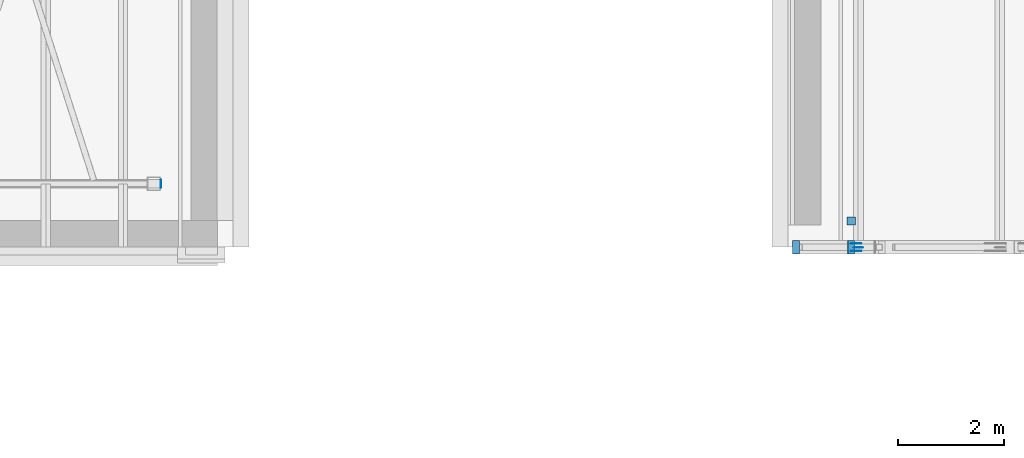
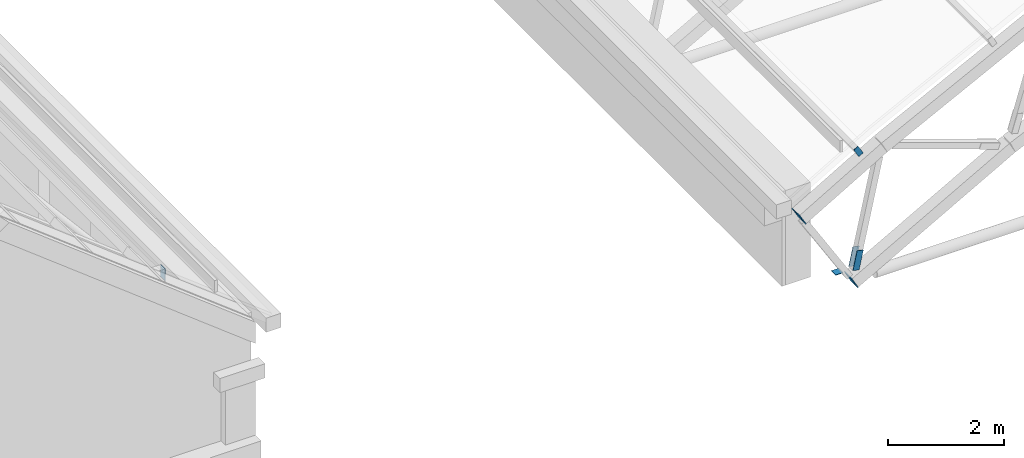
# One storey, part 101 of 127: 7 discrete accessories.
"""IFC4 building model written with IfcOpenShell, lengths in metres."""

from ifc_helpers import new_model, si_unit, direction, frame, origin, origin_2d, place, context, subcontext, project, spatial, rectangle, extrude, material, material_profile, profile_set, type_object, element, save


model = new_model("IFC4")

# Units and contexts
model_context = context("Model", 3, precision=1e-05, world=origin(), true_north=direction((0.0, 1.0)))
body_context = subcontext(model_context, "Body", "Model", "MODEL_VIEW")
ifc_project = project(units=[si_unit("LENGTHUNIT", "METRE"), si_unit("AREAUNIT", "SQUARE_METRE"), si_unit("VOLUMEUNIT", "CUBIC_METRE"), si_unit("PLANEANGLEUNIT", "RADIAN"), si_unit("MASSUNIT", "GRAM", prefix="KILO")], contexts=[model_context])

# Site, building, storey
site_placement = place(None, origin())
site = spatial("IfcSite", under=ifc_project, at=site_placement, CompositionType="ELEMENT")
building_placement = place(site_placement, origin())
building = spatial("IfcBuilding", under=site, at=building_placement, Name="Verrick Yard Athletic Hall", CompositionType="ELEMENT")
storey_placement = place(building_placement, frame((0.0, 0.0, 14.0)))
storey = spatial("IfcBuildingStorey", under=building, at=storey_placement, Name="L03", CompositionType="ELEMENT", Elevation=14.0)

# Discrete accessories
ifc_material = material(Name="Structural steel 350W (CSA G40.21)", Category="steel")
ifc_material_profile_1 = material_profile(ifc_material, rectangle(XDim=0.39990234375, YDim=0.126953125, at=origin_2d()), Name="Brace end cheek plate")
ifc_profile_set_1 = profile_set([ifc_material_profile_1], Name="Structural steel 350W (CSA G40.21)")
discrete_accessory_type_1 = type_object("IfcDiscreteAccessoryType", Name="Brace end cheek plate 400x127x12", PredefinedType="BRACKET", material=ifc_profile_set_1)
for number, where, z_axis, x_axis, name in (
    (1, (121.69091796875, 72.0634765625, 0.416015625), (0.0, 1.0, 0.0), (0.213605450371, 0.0, 0.976920012883), "Truss web end plate TA1-1 1"),
    (2, (121.69091796875, 71.9365234375, 0.416015625), (0.0, -1.0, 0.0), (0.213605450371, 0.0, 0.976920012883), "Truss web end plate TA1-1 2"),
):
    element("IfcDiscreteAccessory", number, at=place(storey_placement, frame(where, z_axis=z_axis, x_axis=x_axis)), inside=storey, type_object=discrete_accessory_type_1, Name=name, PredefinedType="BRACKET", context=body_context, shape_type="SweptSolid", body=[
        extrude(rectangle(XDim=0.39990234375, YDim=0.126953125, at=origin_2d()), origin(), (0.0, 0.0, 1.0), 0.011962890625),
    ])
ifc_material_profile_2 = material_profile(ifc_material, rectangle(XDim=0.1015625, YDim=0.203125, at=origin_2d()), Name="STR End cap plate 203x102x9.5")
ifc_profile_set_2 = profile_set([ifc_material_profile_2], Name="Structural steel 350W (CSA G40.21)")
discrete_accessory_type_2 = type_object("IfcDiscreteAccessoryType", Name="STR End cap plate 203x102x9.5", PredefinedType="BRACKET", material=ifc_profile_set_2)
discrete_accessory_1_placement = place(storey_placement, frame((121.73583984375, 71.989990234375, 2.660888671875), z_axis=(0.0, 1.0, 0.0), x_axis=(-0.86316809178, 0.0, -0.504916671673)))
element("IfcDiscreteAccessory", 3, at=discrete_accessory_1_placement, inside=storey, type_object=discrete_accessory_type_2, Name="End cap HB-PU-A-1-1 A", PredefinedType="BRACKET", context=body_context, shape_type="SweptSolid", body=[
    extrude(rectangle(XDim=0.1015625, YDim=0.203125, at=origin_2d()), origin(), (0.0, 0.0, 1.0), 0.010009765625),
])
ifc_material_profile_3 = material_profile(ifc_material, rectangle(XDim=0.25390625, YDim=0.25390625, at=origin_2d()), Name="STR End cap plate 254x254x9.5")
ifc_profile_set_3 = profile_set([ifc_material_profile_3], Name="Structural steel 350W (CSA G40.21)")
discrete_accessory_type_3 = type_object("IfcDiscreteAccessoryType", Name="STR End cap plate 254x254x9.5", PredefinedType="BRACKET", material=ifc_profile_set_3)
discrete_accessory_2_placement = place(storey_placement, frame((121.59130859375, 72.0, -0.0048828125), z_axis=(0.874157276122, 0.0, 0.485642931179), x_axis=(0.0, 1.0, 0.0)))
element("IfcDiscreteAccessory", 4, at=discrete_accessory_2_placement, inside=storey, type_object=discrete_accessory_type_3, Name="End cap Truss TA1 bottom chord 1 A", PredefinedType="BRACKET", context=body_context, shape_type="SweptSolid", body=[
    extrude(rectangle(XDim=0.25390625, YDim=0.25390625, at=origin_2d()), origin(), (0.0, 0.0, 1.0), 0.010009765625),
])
discrete_accessory_3_placement = place(storey_placement, frame((120.5478515625, 72.0, 1.701171875), z_axis=(0.863778900898, 0.0, 0.503871025524), x_axis=(0.0, 1.0, 0.0)))
element("IfcDiscreteAccessory", 5, at=discrete_accessory_3_placement, inside=storey, type_object=discrete_accessory_type_3, Name="End cap Truss TA1 top chord 1 A", PredefinedType="BRACKET", context=body_context, shape_type="SweptSolid", body=[
    extrude(rectangle(XDim=0.25390625, YDim=0.25390625, at=origin_2d()), origin(), (0.0, 0.0, 1.0), 0.01025390625),
])
ifc_material_profile_4 = material_profile(ifc_material, rectangle(XDim=0.15234375, YDim=0.15234375, at=origin_2d()), Name="STR End cap plate 152x152x9.5")
ifc_profile_set_4 = profile_set([ifc_material_profile_4], Name="Structural steel 350W (CSA G40.21)")
discrete_accessory_type_4 = type_object("IfcDiscreteAccessoryType", Name="STR End cap plate 152x152x9.5", PredefinedType="BRACKET", material=ifc_profile_set_4)
discrete_accessory_4_placement = place(storey_placement, frame((121.60009765625, 72.49462890625, -0.1455078125), z_axis=(0.0, 0.0, 1.0), x_axis=(1.0, 0.0, 0.0)))
element("IfcDiscreteAccessory", 6, at=discrete_accessory_4_placement, inside=storey, type_object=discrete_accessory_type_4, Name="End cap HB-GP-AS-0 B", PredefinedType="BRACKET", context=body_context, shape_type="SweptSolid", body=[
    extrude(rectangle(XDim=0.15234375, YDim=0.15234375, at=origin_2d()), origin(), (0.0, 0.0, 1.0), 0.010009765625),
])
ifc_material_profile_5 = material_profile(ifc_material, rectangle(XDim=0.15234375, YDim=0.25390625, at=origin_2d()), Name="STR End cap plate 254x152x9.5")
ifc_profile_set_5 = profile_set([ifc_material_profile_5], Name="Structural steel 350W (CSA G40.21)")
discrete_accessory_type_5 = type_object("IfcDiscreteAccessoryType", Name="STR End cap plate 254x152x9.5", PredefinedType="BRACKET", material=ifc_profile_set_5)
discrete_accessory_5_placement = place(storey_placement, frame((108.537109375, 73.199951171875, 3.9892578125), z_axis=(-1.0, 0.0, 0.0), x_axis=(0.0, -1.0, 0.0)))
element("IfcDiscreteAccessory", 7, at=discrete_accessory_5_placement, inside=storey, type_object=discrete_accessory_type_5, Name="End cap HB-RT-1E A", PredefinedType="BRACKET", context=body_context, shape_type="SweptSolid", body=[
    extrude(rectangle(XDim=0.15234375, YDim=0.25390625, at=origin_2d()), origin(), (0.0, 0.0, 1.0), 0.010009765625),
])

save(model, "model.ifc")
